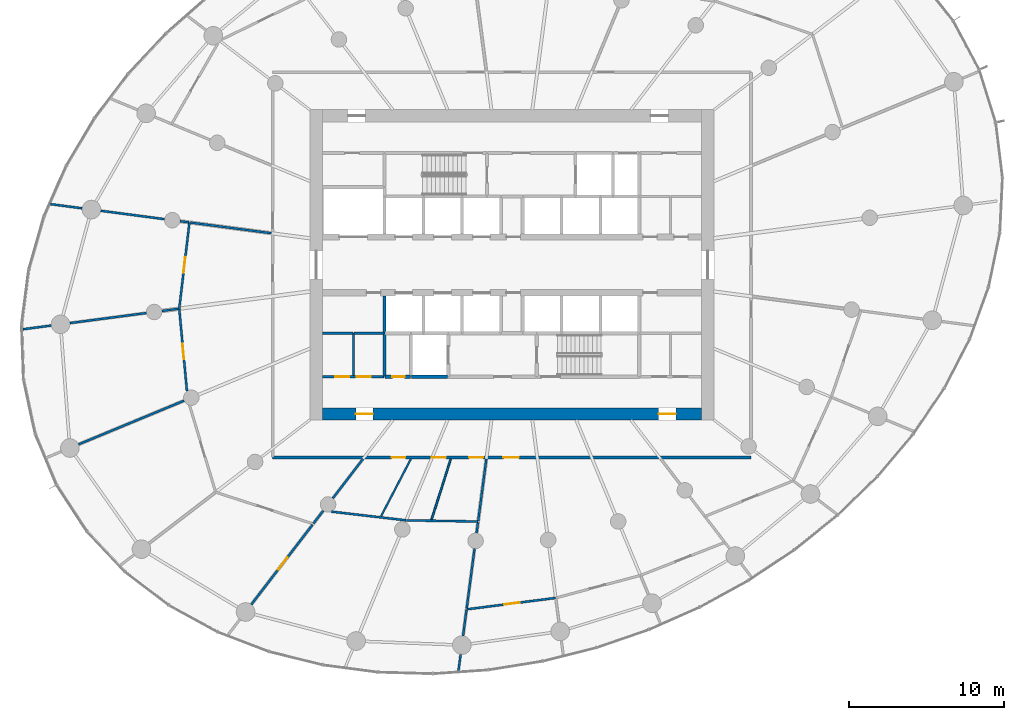
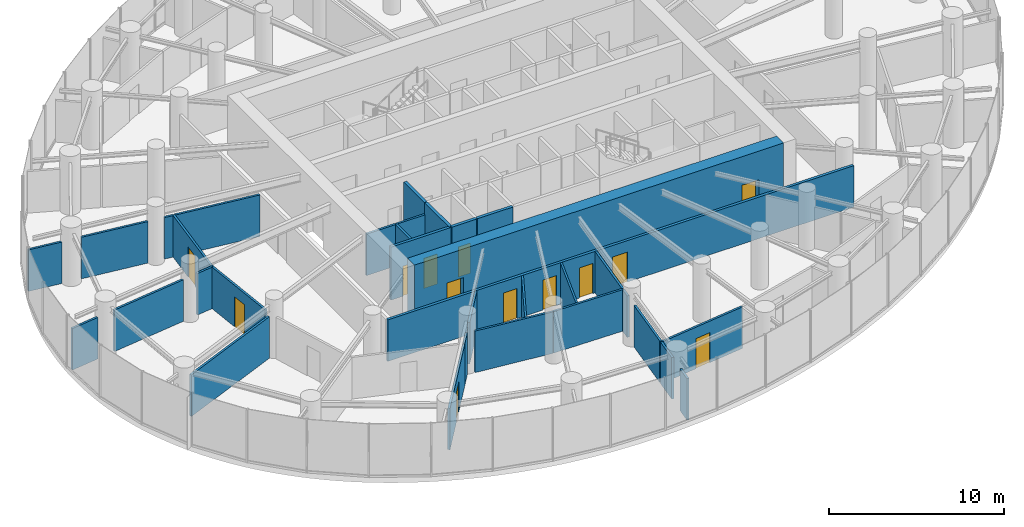
# One storey, part 10 of 17: 33 walls, 13 doors, 13 openings.
"""IFC4 building model written with IfcOpenShell, lengths in metres."""

from ifc_helpers import new_model, si_unit, direction, frame, frame_2d, origin, place, context, subcontext, project, spatial, rectangle, extrude, source, transform, mapped, material, layer, layer_set, type_object, element, fill, save


model = new_model("IFC4")

# Units and contexts
model_context = context("Model", 3, precision=1e-05, world=origin(), true_north=direction((0.0, 1.0)))
body_context = subcontext(model_context, "Body", "Model", "MODEL_VIEW")
ifc_project = project(units=[si_unit("LENGTHUNIT", "METRE"), si_unit("AREAUNIT", "SQUARE_METRE"), si_unit("VOLUMEUNIT", "CUBIC_METRE"), si_unit("PLANEANGLEUNIT", "RADIAN"), si_unit("MASSUNIT", "GRAM", prefix="KILO")], contexts=[model_context])

# Site, building, storey
site_placement = place(None, origin())
site = spatial("IfcSite", under=ifc_project, at=site_placement, CompositionType="ELEMENT")
building_placement = place(site_placement, origin())
building = spatial("IfcBuilding", under=site, at=building_placement, Name="Spindrift Exchange Tower", CompositionType="ELEMENT")
storey_placement = place(building_placement, frame((0.0, 0.0, 88.0)))
storey = spatial("IfcBuildingStorey", under=building, at=storey_placement, Name="L20", CompositionType="ELEMENT", Elevation=88.0)

# Wall, openings, doors
ifc_material_1 = material(Name="Concrete 65 MPa", Category="concrete")
ifc_layer_1 = layer(ifc_material_1, 0.800048828125)
ifc_layer_set_1 = layer_set([ifc_layer_1], Name="RC Core Wall 800 Concrete 65 MPa")
wall_type_1 = type_object("IfcWallType", Name="RC Core Wall 800 Concrete 65 MPa", PredefinedType="SHEAR", material=ifc_layer_set_1)
wall_1_placement = place(storey_placement, frame((39.800048828125, 38.39990234375, 0.0), z_axis=(0.0, 0.0, 1.0), x_axis=(1.0, 0.0, 0.0)))
wall_1 = element("IfcWall", 1, at=wall_1_placement, inside=storey, type_object=wall_type_1, Name="Core wall S L20", PredefinedType="SHEAR", context=body_context, shape_type="SweptSolid", body=[
    extrude(rectangle(XDim=24.39990234375, YDim=0.800048828125, at=frame_2d((12.199951171875, 0.0))), origin(), (0.0, 0.0, 1.0), 4.10009765625),
])
opening_1_placement = place(wall_1_placement, frame((21.64990234375, 0.0, 0.0)))
opening_1 = element("IfcOpeningElement", 2, at=opening_1_placement, cuts=wall_1, Name="Opening L20-D22", PredefinedType="OPENING", context=body_context, shape_type="SweptSolid", body=[
    extrude(rectangle(XDim=1.10009765625, YDim=2.10009765625, at=frame_2d((0.550048828125, 1.050048828125))), frame((0.0, 0.409912109375, 0.0), z_axis=(0.0, -1.0, 0.0), x_axis=(1.0, 0.0, 0.0)), (0.0, 0.0, 1.0), 0.820068359375),
])
opening_2_placement = place(wall_1_placement, frame((2.14990234375, 0.0, 0.0)))
opening_2 = element("IfcOpeningElement", 3, at=opening_2_placement, cuts=wall_1, Name="Opening L20-D23", PredefinedType="OPENING", context=body_context, shape_type="SweptSolid", body=[
    extrude(rectangle(XDim=1.10009765625, YDim=2.10009765625, at=frame_2d((0.550048828125, 1.050048828125))), frame((0.0, 0.409912109375, 0.0), z_axis=(0.0, -1.0, 0.0), x_axis=(1.0, 0.0, 0.0)), (0.0, 0.0, 1.0), 0.820068359375),
])
ifc_material_2 = material(Name="Steel fire door", Category="steel")
door_type_1 = type_object("IfcDoorType", Name="DR-STAIR-1100", OperationType="NOTDEFINED", PredefinedType="DOOR", material=ifc_material_2)
shared_shape_1 = source(origin(), body_context, "Body", "SweptSolid", [
    extrude(rectangle(XDim=1.10009765625, YDim=2.10009765625, at=frame_2d((0.550048828125, 1.050048828125))), frame((0.0, 0.02490234375, 0.0), z_axis=(0.0, -1.0, 0.0), x_axis=(1.0, 0.0, 0.0)), (0.0, 0.0, 1.0), 0.050048828125),
])
door_1_placement = place(opening_1_placement, origin())
door_1 = element("IfcDoor", 4, at=door_1_placement, inside=storey, type_object=door_type_1, Name="L20 Stair door 22", OperationType="SINGLE_SWING_LEFT", OverallHeight=2.10009765625, OverallWidth=1.10009765625, PredefinedType="DOOR", context=body_context, shape_type="MappedRepresentation", body=[
    mapped(shared_shape_1, transform((0.0, 0.0, 0.0), scale=1.0)),
])
fill(opening_1, door_1)
door_2_placement = place(opening_2_placement, origin())
door_2 = element("IfcDoor", 5, at=door_2_placement, inside=storey, type_object=door_type_1, Name="L20 Stair door 23", OperationType="SINGLE_SWING_RIGHT", OverallHeight=2.10009765625, OverallWidth=1.10009765625, PredefinedType="DOOR", context=body_context, shape_type="MappedRepresentation", body=[
    mapped(shared_shape_1, transform((0.0, 0.0, 0.0), scale=1.0)),
])
fill(opening_2, door_2)

ifc_material_3 = material(Name="Fire-rated plasterboard partition", Category="gypsum")
ifc_layer_2 = layer(ifc_material_3, 0.179931640625)
ifc_layer_set_2 = layer_set([ifc_layer_2], Name="W-CORR-180")
wall_type_2 = type_object("IfcWallType", Name="W-CORR-180", PredefinedType="PARTITIONING", material=ifc_layer_set_2)
wall_2_placement = place(storey_placement, frame((39.820068359375, 40.800048828125, 0.0), z_axis=(0.0, 0.0, 1.0), x_axis=(1.0, 0.0, 0.0)))
wall_2 = element("IfcWall", 6, at=wall_2_placement, inside=storey, type_object=wall_type_2, Name="L20 Partition wall 63", PredefinedType="PARTITIONING", context=body_context, shape_type="SweptSolid", body=[
    extrude(rectangle(XDim=3.949951171875, YDim=0.179931640625, at=frame_2d((1.97509765625, 0.0))), origin(), (0.0, 0.0, 1.0), 3.699951171875),
])
opening_3_placement = place(wall_2_placement, frame((0.800048828125, 0.0, 0.0)))
opening_3 = element("IfcOpeningElement", 7, at=opening_3_placement, cuts=wall_2, Name="Opening L20-D52", PredefinedType="OPENING", context=body_context, shape_type="SweptSolid", body=[
    extrude(rectangle(XDim=0.89990234375, YDim=2.10009765625, at=frame_2d((0.449951171875, 1.050048828125))), frame((0.0, 0.099853515625, 0.0), z_axis=(0.0, -1.0, 0.0), x_axis=(1.0, 0.0, 0.0)), (0.0, 0.0, 1.0), 0.199951171875),
])
opening_4_placement = place(wall_2_placement, frame((2.199951171875, 0.0, 0.0)))
opening_4 = element("IfcOpeningElement", 8, at=opening_4_placement, cuts=wall_2, Name="Opening L20-D53", PredefinedType="OPENING", context=body_context, shape_type="SweptSolid", body=[
    extrude(rectangle(XDim=0.89990234375, YDim=2.10009765625, at=frame_2d((0.449951171875, 1.050048828125))), frame((0.0, 0.099853515625, 0.0), z_axis=(0.0, -1.0, 0.0), x_axis=(1.0, 0.0, 0.0)), (0.0, 0.0, 1.0), 0.199951171875),
])
ifc_material_4 = material(Name="Steel access door", Category="steel")
door_type_2 = type_object("IfcDoorType", Name="DR-RISER-900", OperationType="NOTDEFINED", PredefinedType="DOOR", material=ifc_material_4)
shared_shape_2 = source(origin(), body_context, "Body", "SweptSolid", [
    extrude(rectangle(XDim=0.89990234375, YDim=2.10009765625, at=frame_2d((0.449951171875, 1.050048828125))), frame((0.0, 0.02490234375, 0.0), z_axis=(0.0, -1.0, 0.0), x_axis=(1.0, 0.0, 0.0)), (0.0, 0.0, 1.0), 0.050048828125),
])
door_3_placement = place(opening_3_placement, origin())
door_3 = element("IfcDoor", 9, at=door_3_placement, inside=storey, type_object=door_type_2, Name="L20 Riser door 52", OperationType="SINGLE_SWING_LEFT", OverallHeight=2.10009765625, OverallWidth=0.89990234375, PredefinedType="DOOR", context=body_context, shape_type="MappedRepresentation", body=[
    mapped(shared_shape_2, transform((0.0, 0.0, 0.0), scale=1.0)),
])
fill(opening_3, door_3)
door_4_placement = place(opening_4_placement, origin())
door_4 = element("IfcDoor", 10, at=door_4_placement, inside=storey, type_object=door_type_2, Name="L20 Riser door 53", OperationType="SINGLE_SWING_RIGHT", OverallHeight=2.10009765625, OverallWidth=0.89990234375, PredefinedType="DOOR", context=body_context, shape_type="MappedRepresentation", body=[
    mapped(shared_shape_2, transform((0.0, 0.0, 0.0), scale=1.0)),
])
fill(opening_4, door_4)

# Wall, opening, door
ifc_layer_3 = layer(ifc_material_3, 0.139892578125)
ifc_layer_set_3 = layer_set([ifc_layer_3], Name="W-PART-140")
wall_type_3 = type_object("IfcWallType", Name="W-PART-140", PredefinedType="PARTITIONING", material=ifc_layer_set_3)
wall_3_placement = place(storey_placement, frame((54.822509765625, 26.560302734375, 0.0), z_axis=(0.0, 0.0, 1.0), x_axis=(-0.99190429121, -0.126987704445, 0.0)))
wall_3 = element("IfcWall", 11, at=wall_3_placement, inside=storey, type_object=wall_type_3, Name="L20 Partition wall 80", PredefinedType="PARTITIONING", context=body_context, shape_type="SweptSolid", body=[
    extrude(rectangle(XDim=5.788818359375, YDim=0.139892578125, at=frame_2d((2.89453125, 0.0))), origin(), (0.0, 0.0, 1.0), 2.89990234375),
])
opening_5_placement = place(wall_3_placement, frame((2.3388671875, 0.0, 0.0)))
opening_5 = element("IfcOpeningElement", 12, at=opening_5_placement, cuts=wall_3, Name="Opening L20-D28", PredefinedType="OPENING", context=body_context, shape_type="SweptSolid", body=[
    extrude(rectangle(XDim=1.0, YDim=2.10009765625, at=frame_2d((0.5, 1.050048828125))), frame((0.0, 0.079833984375, 0.0), z_axis=(0.0, -1.0, 0.0), x_axis=(1.0, 0.0, 0.0)), (0.0, 0.0, 1.0), 0.159912109375),
])
ifc_material_5 = material(Name="Timber-core fire door", Category="wood")
door_type_3 = type_object("IfcDoorType", Name="DR-ROOM-1000", OperationType="NOTDEFINED", PredefinedType="DOOR", material=ifc_material_5)
shared_shape_3 = source(origin(), body_context, "Body", "SweptSolid", [
    extrude(rectangle(XDim=1.0, YDim=2.10009765625, at=frame_2d((0.5, 1.050048828125))), frame((0.0, 0.02490234375, 0.0), z_axis=(0.0, -1.0, 0.0), x_axis=(1.0, 0.0, 0.0)), (0.0, 0.0, 1.0), 0.050048828125),
])
door_5_placement = place(opening_5_placement, origin())
door_5 = element("IfcDoor", 13, at=door_5_placement, inside=storey, type_object=door_type_3, Name="L20 Door 28", OperationType="SINGLE_SWING_LEFT", OverallHeight=2.10009765625, OverallWidth=1.0, PredefinedType="DOOR", context=body_context, shape_type="MappedRepresentation", body=[
    mapped(shared_shape_3, transform((0.0, 0.0, 0.0), scale=1.0)),
])
fill(opening_5, door_5)

# Walls
wall_4_placement = place(storey_placement, frame((50.355712890625, 35.510009765625, 0.0), z_axis=(0.0, 0.0, 1.0), x_axis=(-0.130531181342, -0.991444204531, 0.0)))
element("IfcWall", 14, at=wall_4_placement, inside=storey, type_object=wall_type_3, Name="L20 Partition wall 95", PredefinedType="PARTITIONING", context=body_context, shape_type="SweptSolid", body=[
    extrude(rectangle(XDim=4.0361328125, YDim=0.139892578125, at=frame_2d((2.01806640625, 0.0))), origin(), (0.0, 0.0, 1.0), 2.89990234375),
])
wall_5_placement = place(storey_placement, frame((41.800048828125, 40.889892578125, 0.0), z_axis=(0.0, 0.0, 1.0), x_axis=(0.0, 1.0, 0.0)))
element("IfcWall", 15, at=wall_5_placement, inside=storey, type_object=wall_type_3, Name="L20 Partition wall 101", PredefinedType="PARTITIONING", context=body_context, shape_type="SweptSolid", body=[
    extrude(rectangle(XDim=2.710205078125, YDim=0.139892578125, at=frame_2d((1.35498046875, 0.0))), origin(), (0.0, 0.0, 1.0), 2.89990234375),
])
wall_6_placement = place(storey_placement, frame((43.77001953125, 43.60009765625, 0.0), z_axis=(0.0, 0.0, 1.0), x_axis=(-1.0, 0.0, 0.0)))
element("IfcWall", 16, at=wall_6_placement, inside=storey, type_object=wall_type_3, Name="L20 Partition wall 113", PredefinedType="PARTITIONING", context=body_context, shape_type="SweptSolid", body=[
    extrude(rectangle(XDim=1.93994140625, YDim=0.139892578125, at=frame_2d((0.969970703125, 0.0))), origin(), (0.0, 0.0, 1.0), 2.89990234375),
])
wall_7_placement = place(storey_placement, frame((41.77001953125, 43.60009765625, 0.0), z_axis=(0.0, 0.0, 1.0), x_axis=(-1.0, 0.0, 0.0)))
element("IfcWall", 17, at=wall_7_placement, inside=storey, type_object=wall_type_3, Name="L20 Partition wall 118", PredefinedType="PARTITIONING", context=body_context, shape_type="SweptSolid", body=[
    extrude(rectangle(XDim=1.949951171875, YDim=0.139892578125, at=frame_2d((0.97509765625, 0.0))), origin(), (0.0, 0.0, 1.0), 2.89990234375),
])
ifc_layer_4 = layer(ifc_material_3, 0.139892578125)
ifc_layer_set_4 = layer_set([ifc_layer_4], Name="W-PLANT-140")
wall_type_4 = type_object("IfcWallType", Name="W-PLANT-140", PredefinedType="PARTITIONING", material=ifc_layer_set_4)
wall_8_placement = place(storey_placement, frame((30.89404296875, 39.2578125, 0.0), z_axis=(0.0, 0.0, 1.0), x_axis=(-0.923867037115, -0.382713597528, 0.0)))
element("IfcWall", 18, at=wall_8_placement, inside=storey, type_object=wall_type_4, Name="L20 Partition wall 65", PredefinedType="PARTITIONING", context=body_context, shape_type="SweptSolid", body=[
    extrude(rectangle(XDim=7.35009765625, YDim=0.139892578125, at=frame_2d((3.675048828125, 0.0))), origin(), (0.0, 0.0, 1.0), 2.89990234375),
])

# Wall, opening, door
wall_9_placement = place(storey_placement, frame((39.1630859375, 31.2705078125, 0.0), z_axis=(0.0, 0.0, 1.0), x_axis=(-0.608755308598, -0.79335803661, 0.0)))
wall_9 = element("IfcWall", 19, at=wall_9_placement, inside=storey, type_object=wall_type_4, Name="L20 Partition wall 69", PredefinedType="PARTITIONING", context=body_context, shape_type="SweptSolid", body=[
    extrude(rectangle(XDim=6.4736328125, YDim=0.139892578125, at=frame_2d((3.23681640625, 0.0))), origin(), (0.0, 0.0, 1.0), 2.89990234375),
])
opening_6_placement = place(wall_9_placement, frame((2.64990234375, 0.0, 0.0)))
opening_6 = element("IfcOpeningElement", 20, at=opening_6_placement, cuts=wall_9, Name="Opening L20-D31", PredefinedType="OPENING", context=body_context, shape_type="SweptSolid", body=[
    extrude(rectangle(XDim=1.0, YDim=2.10009765625, at=frame_2d((0.5, 1.050048828125))), frame((0.0, 0.079833984375, 0.0), z_axis=(0.0, -1.0, 0.0), x_axis=(1.0, 0.0, 0.0)), (0.0, 0.0, 1.0), 0.159912109375),
])
door_6_placement = place(opening_6_placement, origin())
door_6 = element("IfcDoor", 21, at=door_6_placement, inside=storey, type_object=door_type_3, Name="L20 Door 31", OperationType="SINGLE_SWING_RIGHT", OverallHeight=2.10009765625, OverallWidth=1.0, PredefinedType="DOOR", context=body_context, shape_type="MappedRepresentation", body=[
    mapped(shared_shape_3, transform((0.0, 0.0, 0.0), scale=1.0)),
])
fill(opening_6, door_6)

wall_10_placement = place(storey_placement, frame((30.584716796875, 45.1806640625, 0.0), z_axis=(0.0, 0.0, 1.0), x_axis=(0.117771029217, 0.993040776946, 0.0)))
wall_10 = element("IfcWall", 22, at=wall_10_placement, inside=storey, type_object=wall_type_4, Name="L20 Partition wall 84", PredefinedType="PARTITIONING", context=body_context, shape_type="SweptSolid", body=[
    extrude(rectangle(XDim=5.5908203125, YDim=0.139892578125, at=frame_2d((2.79541015625, 0.0))), origin(), (0.0, 0.0, 1.0), 2.89990234375),
])
opening_7_placement = place(wall_10_placement, frame((2.341064453125, 0.0, 0.0)))
opening_7 = element("IfcOpeningElement", 23, at=opening_7_placement, cuts=wall_10, Name="Opening L20-D47", PredefinedType="OPENING", context=body_context, shape_type="SweptSolid", body=[
    extrude(rectangle(XDim=1.0, YDim=2.10009765625, at=frame_2d((0.5, 1.050048828125))), frame((0.0, 0.079833984375, 0.0), z_axis=(0.0, -1.0, 0.0), x_axis=(1.0, 0.0, 0.0)), (0.0, 0.0, 1.0), 0.159912109375),
])
door_7_placement = place(opening_7_placement, origin())
door_7 = element("IfcDoor", 24, at=door_7_placement, inside=storey, type_object=door_type_3, Name="L20 Door 47", OperationType="SINGLE_SWING_RIGHT", OverallHeight=2.10009765625, OverallWidth=1.0, PredefinedType="DOOR", context=body_context, shape_type="MappedRepresentation", body=[
    mapped(shared_shape_3, transform((0.0, 0.0, 0.0), scale=1.0)),
])
fill(opening_7, door_7)

# Wall
wall_11_placement = place(storey_placement, frame((36.510009765625, 50.039306640625, 0.0), z_axis=(0.0, 0.0, 1.0), x_axis=(-0.991443354763, 0.130537635558, 0.0)))
element("IfcWall", 25, at=wall_11_placement, inside=storey, type_object=wall_type_4, Name="L20 Partition wall 86", PredefinedType="PARTITIONING", context=body_context, shape_type="SweptSolid", body=[
    extrude(rectangle(XDim=5.242431640625, YDim=0.139892578125, at=frame_2d((2.62109375, 0.0))), origin(), (0.0, 0.0, 1.0), 2.89990234375),
])

# Wall, opening, door
wall_12_placement = place(storey_placement, frame((31.081787109375, 39.871826171875, 0.0), z_axis=(0.0, 0.0, 1.0), x_axis=(-0.093242287494, 0.995643448139, 0.0)))
wall_12 = element("IfcWall", 26, at=wall_12_placement, inside=storey, type_object=wall_type_4, Name="L20 Partition wall 88", PredefinedType="PARTITIONING", context=body_context, shape_type="SweptSolid", body=[
    extrude(rectangle(XDim=5.30224609375, YDim=0.139892578125, at=frame_2d((2.651123046875, 0.0))), origin(), (0.0, 0.0, 1.0), 2.89990234375),
])
opening_8_placement = place(wall_12_placement, frame((2.052001953125, 0.0, 0.0)))
opening_8 = element("IfcOpeningElement", 27, at=opening_8_placement, cuts=wall_12, Name="Opening L20-D48", PredefinedType="OPENING", context=body_context, shape_type="SweptSolid", body=[
    extrude(rectangle(XDim=1.0, YDim=2.10009765625, at=frame_2d((0.5, 1.050048828125))), frame((0.0, 0.079833984375, 0.0), z_axis=(0.0, -1.0, 0.0), x_axis=(1.0, 0.0, 0.0)), (0.0, 0.0, 1.0), 0.159912109375),
])
door_8_placement = place(opening_8_placement, origin())
door_8 = element("IfcDoor", 28, at=door_8_placement, inside=storey, type_object=door_type_3, Name="L20 Door 48", OperationType="SINGLE_SWING_LEFT", OverallHeight=2.10009765625, OverallWidth=1.0, PredefinedType="DOOR", context=body_context, shape_type="MappedRepresentation", body=[
    mapped(shared_shape_3, transform((0.0, 0.0, 0.0), scale=1.0)),
])
fill(opening_8, door_8)

# Walls
wall_13_placement = place(storey_placement, frame((28.466064453125, 44.901611328125, 0.0), z_axis=(0.0, 0.0, 1.0), x_axis=(-0.991443414541, -0.130537181533, 0.0)))
element("IfcWall", 29, at=wall_13_placement, inside=storey, type_object=wall_type_4, Name="L20 Partition wall 90", PredefinedType="PARTITIONING", context=body_context, shape_type="SweptSolid", body=[
    extrude(rectangle(XDim=4.965576171875, YDim=0.139892578125, at=frame_2d((2.48291015625, 0.0))), origin(), (0.0, 0.0, 1.0), 2.89990234375),
])
wall_14_placement = place(storey_placement, frame((40.373779296875, 32.1171875, 0.0), z_axis=(0.0, 0.0, 1.0), x_axis=(0.993268355234, -0.115835980988, 0.0)))
element("IfcWall", 30, at=wall_14_placement, inside=storey, type_object=wall_type_4, Name="L20 Partition wall 91", PredefinedType="PARTITIONING", context=body_context, shape_type="SweptSolid", body=[
    extrude(rectangle(XDim=4.84765625, YDim=0.139892578125, at=frame_2d((2.423828125, 0.0))), origin(), (0.0, 0.0, 1.0), 2.89990234375),
])
wall_15_placement = place(storey_placement, frame((45.218505859375, 31.55517578125, 0.0), z_axis=(0.0, 0.0, 1.0), x_axis=(0.999861551783, -0.016639629386, 0.0)))
element("IfcWall", 31, at=wall_15_placement, inside=storey, type_object=wall_type_4, Name="L20 Partition wall 93", PredefinedType="PARTITIONING", context=body_context, shape_type="SweptSolid", body=[
    extrude(rectangle(XDim=4.607177734375, YDim=0.139892578125, at=frame_2d((2.3037109375, 0.0))), origin(), (0.0, 0.0, 1.0), 2.89990234375),
])
wall_16_placement = place(storey_placement, frame((29.63671875, 50.944091796875, 0.0), z_axis=(0.0, 0.0, 1.0), x_axis=(-0.991445054296, 0.130524726824, 0.0)))
element("IfcWall", 32, at=wall_16_placement, inside=storey, type_object=wall_type_4, Name="L20 Partition wall 96", PredefinedType="PARTITIONING", context=body_context, shape_type="SweptSolid", body=[
    extrude(rectangle(XDim=4.137451171875, YDim=0.139892578125, at=frame_2d((2.06884765625, 0.0))), origin(), (0.0, 0.0, 1.0), 2.89990234375),
])
wall_17_placement = place(storey_placement, frame((49.594970703125, 29.732666015625, 0.0), z_axis=(0.0, 0.0, 1.0), x_axis=(-0.130510017613, -0.991446990667, 0.0)))
element("IfcWall", 33, at=wall_17_placement, inside=storey, type_object=wall_type_4, Name="L20 Partition wall 98", PredefinedType="PARTITIONING", context=body_context, shape_type="SweptSolid", body=[
    extrude(rectangle(XDim=3.86865234375, YDim=0.139892578125, at=frame_2d((1.934326171875, 0.0))), origin(), (0.0, 0.0, 1.0), 2.89990234375),
])
wall_18_placement = place(storey_placement, frame((42.416015625, 35.510009765625, 0.0), z_axis=(0.0, 0.0, 1.0), x_axis=(-0.60874605662, -0.793365135703, 0.0)))
element("IfcWall", 34, at=wall_18_placement, inside=storey, type_object=wall_type_4, Name="L20 Partition wall 100", PredefinedType="PARTITIONING", context=body_context, shape_type="SweptSolid", body=[
    extrude(rectangle(XDim=3.193603515625, YDim=0.139892578125, at=frame_2d((1.5966796875, 0.0))), origin(), (0.0, 0.0, 1.0), 2.89990234375),
])
wall_19_placement = place(storey_placement, frame((24.336181640625, 51.64208984375, 0.0), z_axis=(0.0, 0.0, 1.0), x_axis=(-0.991451479475, 0.130475912903, 0.0)))
element("IfcWall", 35, at=wall_19_placement, inside=storey, type_object=wall_type_4, Name="L20 Partition wall 111", PredefinedType="PARTITIONING", context=body_context, shape_type="SweptSolid", body=[
    extrude(rectangle(XDim=2.065673828125, YDim=0.139892578125, at=frame_2d((1.03271484375, 0.0))), origin(), (0.0, 0.0, 1.0), 2.89990234375),
])
wall_20_placement = place(storey_placement, frame((22.344482421875, 44.095703125, 0.0), z_axis=(0.0, 0.0, 1.0), x_axis=(-0.991446580004, -0.130513137263, 0.0)))
element("IfcWall", 36, at=wall_20_placement, inside=storey, type_object=wall_type_4, Name="L20 Partition wall 121", PredefinedType="PARTITIONING", context=body_context, shape_type="SweptSolid", body=[
    extrude(rectangle(XDim=1.831298828125, YDim=0.139892578125, at=frame_2d((0.91552734375, 0.0))), origin(), (0.0, 0.0, 1.0), 2.89990234375),
])
wall_21_placement = place(storey_placement, frame((49.07666015625, 25.795654296875, 0.0), z_axis=(0.0, 0.0, 1.0), x_axis=(-0.130476963779, -0.991451341178, 0.0)))
element("IfcWall", 37, at=wall_21_placement, inside=storey, type_object=wall_type_4, Name="L20 Partition wall 122", PredefinedType="PARTITIONING", context=body_context, shape_type="SweptSolid", body=[
    extrude(rectangle(XDim=1.687744140625, YDim=0.139892578125, at=frame_2d((0.84375, 0.0))), origin(), (0.0, 0.0, 1.0), 2.89990234375),
])
wall_22_placement = place(storey_placement, frame((30.554931640625, 45.1767578125, 0.0), z_axis=(0.0, 0.0, 1.0), x_axis=(-0.991445968749, -0.130517780591, 0.0)))
element("IfcWall", 38, at=wall_22_placement, inside=storey, type_object=wall_type_4, Name="L20 Partition wall 132", PredefinedType="PARTITIONING", context=body_context, shape_type="SweptSolid", body=[
    extrude(rectangle(XDim=1.097900390625, YDim=0.139892578125, at=frame_2d((0.548828125, 0.0))), origin(), (0.0, 0.0, 1.0), 2.89990234375),
])
wall_23_placement = place(storey_placement, frame((48.69873046875, 22.924072265625, 0.0), z_axis=(0.0, 0.0, 1.0), x_axis=(-0.130596008599, -0.991435667372, 0.0)))
element("IfcWall", 39, at=wall_23_placement, inside=storey, type_object=wall_type_4, Name="L20 Partition wall 138", PredefinedType="PARTITIONING", context=body_context, shape_type="SweptSolid", body=[
    extrude(rectangle(XDim=1.0712890625, YDim=0.139892578125, at=frame_2d((0.53564453125, 0.0))), origin(), (0.0, 0.0, 1.0), 2.89990234375),
])
wall_24_placement = place(storey_placement, frame((39.85791015625, 32.176025390625, 0.0), z_axis=(0.0, 0.0, 1.0), x_axis=(-0.608777438842, -0.793341055258, 0.0)))
element("IfcWall", 40, at=wall_24_placement, inside=storey, type_object=wall_type_4, Name="L20 Partition wall 139", PredefinedType="PARTITIONING", context=body_context, shape_type="SweptSolid", body=[
    extrude(rectangle(XDim=1.037109375, YDim=0.139892578125, at=frame_2d((0.5185546875, 0.0))), origin(), (0.0, 0.0, 1.0), 2.89990234375),
])
wall_25_placement = place(storey_placement, frame((49.815673828125, 31.40869140625, 0.0), z_axis=(0.0, 0.0, 1.0), x_axis=(-0.130380387554, -0.991464046015, 0.0)))
element("IfcWall", 41, at=wall_25_placement, inside=storey, type_object=wall_type_4, Name="L20 Partition wall 145", PredefinedType="PARTITIONING", context=body_context, shape_type="SweptSolid", body=[
    extrude(rectangle(XDim=0.681640625, YDim=0.139892578125, at=frame_2d((0.3408203125, 0.0))), origin(), (0.0, 0.0, 1.0), 2.89990234375),
])
wall_26_placement = place(storey_placement, frame((31.21337890625, 50.736572265625, 0.0), z_axis=(0.0, 0.0, 1.0), x_axis=(-0.991435704869, 0.130595723937, 0.0)))
element("IfcWall", 42, at=wall_26_placement, inside=storey, type_object=wall_type_4, Name="L20 Partition wall 146", PredefinedType="PARTITIONING", context=body_context, shape_type="SweptSolid", body=[
    extrude(rectangle(XDim=0.581298828125, YDim=0.139892578125, at=frame_2d((0.29052734375, 0.0))), origin(), (0.0, 0.0, 1.0), 2.89990234375),
])

# Wall, openings, doors
ifc_layer_5 = layer(ifc_material_3, 0.179931640625)
ifc_layer_set_5 = layer_set([ifc_layer_5], Name="W-PLANT-180")
wall_type_5 = type_object("IfcWallType", Name="W-PLANT-180", PredefinedType="PARTITIONING", material=ifc_layer_set_5)
wall_27_placement = place(storey_placement, frame((67.39990234375, 35.60009765625, 0.0), z_axis=(0.0, 0.0, 1.0), x_axis=(-1.0, 0.0, 0.0)))
wall_27 = element("IfcWall", 43, at=wall_27_placement, inside=storey, type_object=wall_type_5, Name="L20 Partition wall 57", PredefinedType="PARTITIONING", context=body_context, shape_type="SweptSolid", body=[
    extrude(rectangle(XDim=30.7998046875, YDim=0.179931640625, at=frame_2d((15.39990234375, 0.0))), origin(), (0.0, 0.0, 1.0), 2.89990234375),
])
opening_9_placement = place(wall_27_placement, frame((22.25, 0.0, 0.0)))
opening_9 = element("IfcOpeningElement", 44, at=opening_9_placement, cuts=wall_27, Name="Opening L20-D24", PredefinedType="OPENING", context=body_context, shape_type="SweptSolid", body=[
    extrude(rectangle(XDim=0.89990234375, YDim=2.10009765625, at=frame_2d((0.449951171875, 1.050048828125))), frame((0.0, 0.099853515625, 0.0), z_axis=(0.0, -1.0, 0.0), x_axis=(1.0, 0.0, 0.0)), (0.0, 0.0, 1.0), 0.199951171875),
])
opening_10_placement = place(wall_27_placement, frame((19.64990234375, 0.0, 0.0)))
opening_10 = element("IfcOpeningElement", 45, at=opening_10_placement, cuts=wall_27, Name="Opening L20-D25", PredefinedType="OPENING", context=body_context, shape_type="SweptSolid", body=[
    extrude(rectangle(XDim=0.89990234375, YDim=2.10009765625, at=frame_2d((0.449951171875, 1.050048828125))), frame((0.0, 0.099853515625, 0.0), z_axis=(0.0, -1.0, 0.0), x_axis=(1.0, 0.0, 0.0)), (0.0, 0.0, 1.0), 0.199951171875),
])
opening_11_placement = place(wall_27_placement, frame((17.25, 0.0, 0.0)))
opening_11 = element("IfcOpeningElement", 46, at=opening_11_placement, cuts=wall_27, Name="Opening L20-D26", PredefinedType="OPENING", context=body_context, shape_type="SweptSolid", body=[
    extrude(rectangle(XDim=0.89990234375, YDim=2.10009765625, at=frame_2d((0.449951171875, 1.050048828125))), frame((0.0, 0.099853515625, 0.0), z_axis=(0.0, -1.0, 0.0), x_axis=(1.0, 0.0, 0.0)), (0.0, 0.0, 1.0), 0.199951171875),
])
opening_12_placement = place(wall_27_placement, frame((14.949951171875, 0.0, 0.0)))
opening_12 = element("IfcOpeningElement", 47, at=opening_12_placement, cuts=wall_27, Name="Opening L20-D27", PredefinedType="OPENING", context=body_context, shape_type="SweptSolid", body=[
    extrude(rectangle(XDim=1.0, YDim=2.10009765625, at=frame_2d((0.5, 1.050048828125))), frame((0.0, 0.099853515625, 0.0), z_axis=(0.0, -1.0, 0.0), x_axis=(1.0, 0.0, 0.0)), (0.0, 0.0, 1.0), 0.199951171875),
])
door_9_placement = place(opening_12_placement, origin())
door_9 = element("IfcDoor", 48, at=door_9_placement, inside=storey, type_object=door_type_3, Name="L20 Door 27", OperationType="SINGLE_SWING_RIGHT", OverallHeight=2.10009765625, OverallWidth=1.0, PredefinedType="DOOR", context=body_context, shape_type="MappedRepresentation", body=[
    mapped(shared_shape_3, transform((0.0, 0.0, 0.0), scale=1.0)),
])
fill(opening_12, door_9)
ifc_material_6 = material(Name="Laminate washroom door", Category="wood")
door_type_4 = type_object("IfcDoorType", Name="DR-WC-900", OperationType="NOTDEFINED", PredefinedType="DOOR", material=ifc_material_6)
shared_shape_4 = source(origin(), body_context, "Body", "SweptSolid", [
    extrude(rectangle(XDim=0.89990234375, YDim=2.10009765625, at=frame_2d((0.449951171875, 1.050048828125))), frame((0.0, 0.02490234375, 0.0), z_axis=(0.0, -1.0, 0.0), x_axis=(1.0, 0.0, 0.0)), (0.0, 0.0, 1.0), 0.050048828125),
])
door_10_placement = place(opening_9_placement, origin())
door_10 = element("IfcDoor", 49, at=door_10_placement, inside=storey, type_object=door_type_4, Name="L20 WC door 24", OperationType="SINGLE_SWING_LEFT", OverallHeight=2.10009765625, OverallWidth=0.89990234375, PredefinedType="DOOR", context=body_context, shape_type="MappedRepresentation", body=[
    mapped(shared_shape_4, transform((0.0, 0.0, 0.0), scale=1.0)),
])
fill(opening_9, door_10)
door_11_placement = place(opening_10_placement, origin())
door_11 = element("IfcDoor", 50, at=door_11_placement, inside=storey, type_object=door_type_4, Name="L20 WC door 25", OperationType="SINGLE_SWING_RIGHT", OverallHeight=2.10009765625, OverallWidth=0.89990234375, PredefinedType="DOOR", context=body_context, shape_type="MappedRepresentation", body=[
    mapped(shared_shape_4, transform((0.0, 0.0, 0.0), scale=1.0)),
])
fill(opening_10, door_11)
door_12_placement = place(opening_11_placement, origin())
door_12 = element("IfcDoor", 51, at=door_12_placement, inside=storey, type_object=door_type_4, Name="L20 WC door 26", OperationType="SINGLE_SWING_LEFT", OverallHeight=2.10009765625, OverallWidth=0.89990234375, PredefinedType="DOOR", context=body_context, shape_type="MappedRepresentation", body=[
    mapped(shared_shape_4, transform((0.0, 0.0, 0.0), scale=1.0)),
])
fill(opening_11, door_12)

# Walls
ifc_material_7 = material(Name="Concrete 40 MPa", Category="concrete")
ifc_layer_6 = layer(ifc_material_7, 0.199951171875)
ifc_layer_set_6 = layer_set([ifc_layer_6], Name="W-SHAFT-200")
wall_type_6 = type_object("IfcWallType", Name="W-SHAFT-200", PredefinedType="SOLIDWALL", material=ifc_layer_set_6)
wall_28_placement = place(storey_placement, frame((43.800048828125, 43.60009765625, 0.0), z_axis=(0.0, 0.0, 1.0), x_axis=(0.0, -1.0, 0.0)))
element("IfcWall", 52, at=wall_28_placement, inside=storey, type_object=wall_type_6, Name="L20 Shaft wall 6", PredefinedType="SOLIDWALL", context=body_context, shape_type="SweptSolid", body=[
    extrude(rectangle(XDim=2.800048828125, YDim=0.199951171875, at=frame_2d((1.39990234375, 0.0))), origin(), (0.0, 0.0, 1.0), 3.699951171875),
])
wall_29_placement = place(storey_placement, frame((45.530029296875, 40.800048828125, 0.0), z_axis=(0.0, 0.0, 1.0), x_axis=(1.0, 0.0, 0.0)))
element("IfcWall", 53, at=wall_29_placement, inside=storey, type_object=wall_type_6, Name="L20 Shaft wall 21", PredefinedType="SOLIDWALL", context=body_context, shape_type="SweptSolid", body=[
    extrude(rectangle(XDim=2.340087890625, YDim=0.199951171875, at=frame_2d((1.169921875, 0.0))), origin(), (0.0, 0.0, 1.0), 3.699951171875),
])
wall_30_placement = place(storey_placement, frame((43.800048828125, 45.989990234375, 0.0), z_axis=(0.0, 0.0, 1.0), x_axis=(0.0, -1.0, 0.0)))
element("IfcWall", 54, at=wall_30_placement, inside=storey, type_object=wall_type_6, Name="L20 Shaft wall 23", PredefinedType="SOLIDWALL", context=body_context, shape_type="SweptSolid", body=[
    extrude(rectangle(XDim=2.360107421875, YDim=0.199951171875, at=frame_2d((1.18017578125, 0.0))), origin(), (0.0, 0.0, 1.0), 3.699951171875),
])

# Wall, opening, door
wall_31_placement = place(storey_placement, frame((43.830078125, 40.800048828125, 0.0), z_axis=(0.0, 0.0, 1.0), x_axis=(1.0, 0.0, 0.0)))
wall_31 = element("IfcWall", 55, at=wall_31_placement, inside=storey, type_object=wall_type_6, Name="L20 Shaft wall 41", PredefinedType="SOLIDWALL", context=body_context, shape_type="SweptSolid", body=[
    extrude(rectangle(XDim=1.639892578125, YDim=0.199951171875, at=frame_2d((0.81982421875, 0.0))), origin(), (0.0, 0.0, 1.0), 3.699951171875),
])
opening_13_placement = place(wall_31_placement, frame((0.469970703125, 0.0, 0.0)))
opening_13 = element("IfcOpeningElement", 56, at=opening_13_placement, cuts=wall_31, Name="Opening L20-D19", PredefinedType="OPENING", context=body_context, shape_type="SweptSolid", body=[
    extrude(rectangle(XDim=0.800048828125, YDim=2.10009765625, at=frame_2d((0.39990234375, 1.050048828125))), frame((0.0, 0.10986328125, 0.0), z_axis=(0.0, -1.0, 0.0), x_axis=(1.0, 0.0, 0.0)), (0.0, 0.0, 1.0), 0.219970703125),
])
door_type_5 = type_object("IfcDoorType", Name="DR-RISER-800", OperationType="NOTDEFINED", PredefinedType="DOOR", material=ifc_material_4)
shared_shape_5 = source(origin(), body_context, "Body", "SweptSolid", [
    extrude(rectangle(XDim=0.800048828125, YDim=2.10009765625, at=frame_2d((0.39990234375, 1.050048828125))), frame((0.0, 0.02490234375, 0.0), z_axis=(0.0, -1.0, 0.0), x_axis=(1.0, 0.0, 0.0)), (0.0, 0.0, 1.0), 0.050048828125),
])
door_13_placement = place(opening_13_placement, origin())
door_13 = element("IfcDoor", 57, at=door_13_placement, inside=storey, type_object=door_type_5, Name="L20 Riser door 19", OperationType="SINGLE_SWING_RIGHT", OverallHeight=2.10009765625, OverallWidth=0.800048828125, PredefinedType="DOOR", context=body_context, shape_type="MappedRepresentation", body=[
    mapped(shared_shape_5, transform((0.0, 0.0, 0.0), scale=1.0)),
])
fill(opening_13, door_13)

# Walls
ifc_layer_7 = layer(ifc_material_3, 0.1201171875)
ifc_layer_set_7 = layer_set([ifc_layer_7], Name="W-WET-120")
wall_type_7 = type_object("IfcWallType", Name="W-WET-120", PredefinedType="PARTITIONING", material=ifc_layer_set_7)
wall_32_placement = place(storey_placement, frame((45.498046875, 35.510009765625, 0.0), z_axis=(0.0, 0.0, 1.0), x_axis=(-0.461756753262, -0.887006595701, 0.0)))
element("IfcWall", 58, at=wall_32_placement, inside=storey, type_object=wall_type_7, Name="L20 Partition wall 149", PredefinedType="PARTITIONING", context=body_context, shape_type="SweptSolid", body=[
    extrude(rectangle(XDim=4.166259765625, YDim=0.1201171875, at=frame_2d((2.0830078125, 0.0))), origin(), (0.0, 0.0, 1.0), 2.89990234375),
])
wall_33_placement = place(storey_placement, frame((48.06201171875, 35.510009765625, 0.0), z_axis=(0.0, 0.0, 1.0), x_axis=(-0.300721111257, -0.953712122836, 0.0)))
element("IfcWall", 59, at=wall_33_placement, inside=storey, type_object=wall_type_7, Name="L20 Partition wall 150", PredefinedType="PARTITIONING", context=body_context, shape_type="SweptSolid", body=[
    extrude(rectangle(XDim=4.1015625, YDim=0.1201171875, at=frame_2d((2.05078125, 0.0))), origin(), (0.0, 0.0, 1.0), 2.89990234375),
])

save(model, "model.ifc")
